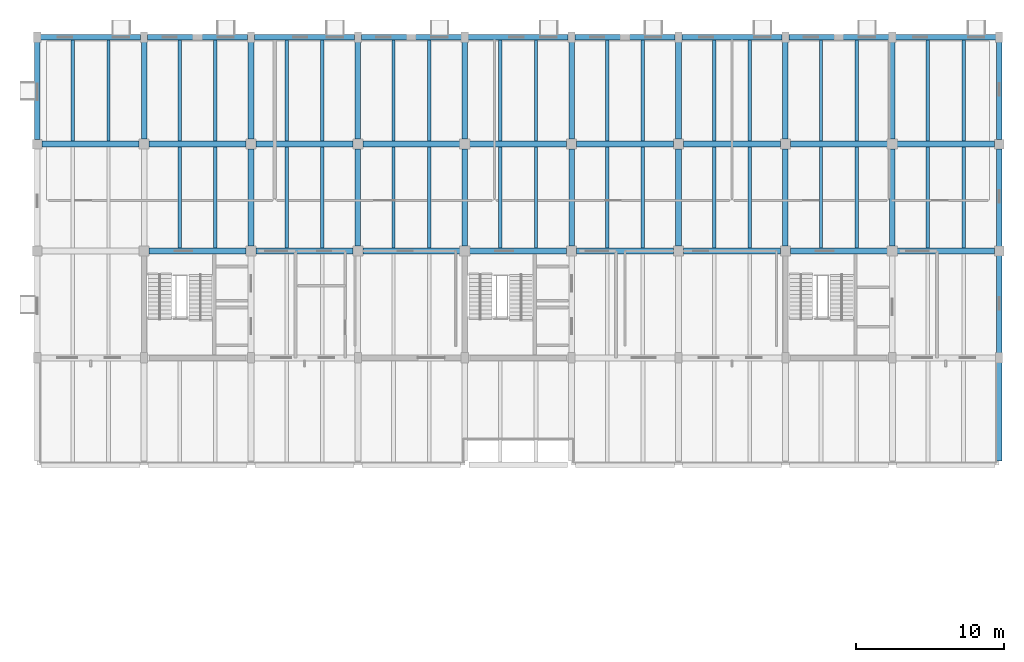
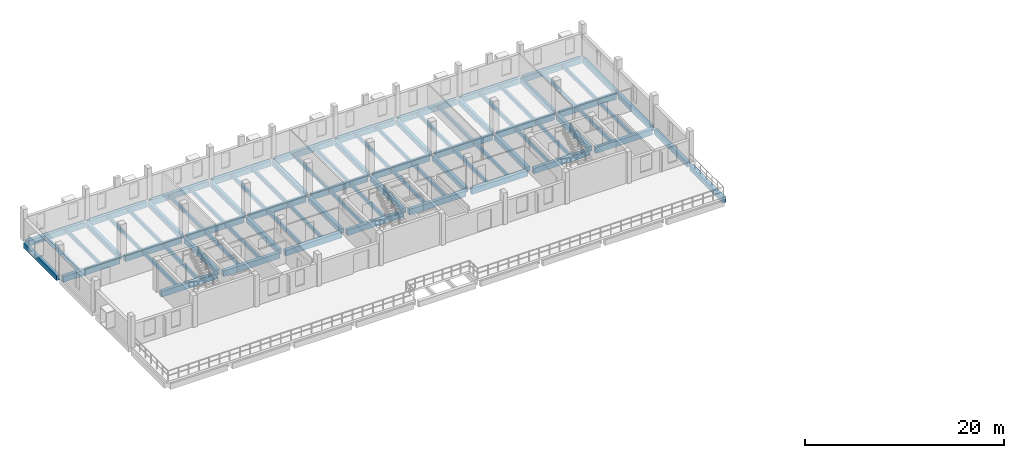
# One storey, part 3 of 14: 80 beams.
"""IFC4 building model written with IfcOpenShell, lengths in metres."""

from ifc_helpers import new_model, si_unit, direction, frame, origin, origin_2d, place, context, subcontext, project, spatial, rectangle, extrude, material, material_profile, profile_set, type_object, element, save


model = new_model("IFC4")

# Units and contexts
model_context = context("Model", 3, precision=1e-05, world=origin(), true_north=direction((0.0, 1.0)))
body_context = subcontext(model_context, "Body", "Model", "MODEL_VIEW")
ifc_project = project(units=[si_unit("LENGTHUNIT", "METRE"), si_unit("AREAUNIT", "SQUARE_METRE"), si_unit("VOLUMEUNIT", "CUBIC_METRE"), si_unit("PLANEANGLEUNIT", "RADIAN"), si_unit("MASSUNIT", "GRAM", prefix="KILO")], contexts=[model_context])

# Site, building, storey
site_placement = place(None, origin())
site = spatial("IfcSite", under=ifc_project, at=site_placement, CompositionType="ELEMENT")
building_placement = place(site_placement, origin())
building = spatial("IfcBuilding", under=site, at=building_placement, Name="Qiaolan Assembly House", CompositionType="ELEMENT")
storey_placement = place(building_placement, frame((0.0, 0.0, 22.5)))
storey = spatial("IfcBuildingStorey", under=building, at=storey_placement, Name="L05", CompositionType="ELEMENT", Elevation=22.5)

# Beams
ifc_material = material(Name="Concrete C40/50", Category="concrete")
ifc_material_profile_1 = material_profile(ifc_material, rectangle(XDim=0.3798828125, YDim=0.6201171875, at=origin_2d()), Name="RCB 380x620")
ifc_profile_set_1 = profile_set([ifc_material_profile_1], Name="Concrete C40/50")
beam_type_1 = type_object("IfcBeamType", Name="BM-RC-380x620", PredefinedType="BEAM", material=ifc_profile_set_1)
beam_1_placement = place(storey_placement, frame((36.0, 108.31494140625, -0.5400390625), z_axis=(0.0, 1.0, 0.0), x_axis=(-1.0, 0.0, 0.0)))
element("IfcBeam", 1, at=beam_1_placement, inside=storey, type_object=beam_type_1, Name="GB-13 beam BMY-NW-L05-00-02", PredefinedType="BEAM", context=body_context, shape_type="SweptSolid", body=[
    extrude(rectangle(XDim=0.3798828125, YDim=0.6201171875, at=origin_2d()), origin(), (0.0, 0.0, 1.0), 6.655029296875),
])
beam_2_placement = place(storey_placement, frame((43.199951171875, 108.330078125, -0.5400390625), z_axis=(0.0, 1.0, 0.0), x_axis=(-1.0, 0.0, 0.0)))
element("IfcBeam", 2, at=beam_2_placement, inside=storey, type_object=beam_type_1, Name="GB-13 beam BMY-NW-L05-01-02", PredefinedType="BEAM", context=body_context, shape_type="SweptSolid", body=[
    extrude(rectangle(XDim=0.3798828125, YDim=0.6201171875, at=origin_2d()), origin(), (0.0, 0.0, 1.0), 6.639892578125),
])
beam_3_placement = place(storey_placement, frame((50.39990234375, 101.1298828125, -0.5400390625), z_axis=(0.0, 1.0, 0.0), x_axis=(-1.0, 0.0, 0.0)))
element("IfcBeam", 3, at=beam_3_placement, inside=storey, type_object=beam_type_1, Name="GB-13 beam BMY-NW-L05-02-01", PredefinedType="BEAM", context=body_context, shape_type="SweptSolid", body=[
    extrude(rectangle(XDim=0.3798828125, YDim=0.6201171875, at=origin_2d()), origin(), (0.0, 0.0, 1.0), 6.5400390625),
])
beam_4_placement = place(storey_placement, frame((50.39990234375, 108.330078125, -0.5400390625), z_axis=(0.0, 1.0, 0.0), x_axis=(-1.0, 0.0, 0.0)))
element("IfcBeam", 4, at=beam_4_placement, inside=storey, type_object=beam_type_1, Name="GB-13 beam BMY-NW-L05-02-02", PredefinedType="BEAM", context=body_context, shape_type="SweptSolid", body=[
    extrude(rectangle(XDim=0.3798828125, YDim=0.6201171875, at=origin_2d()), origin(), (0.0, 0.0, 1.0), 6.639892578125),
])
beam_5_placement = place(storey_placement, frame((57.60009765625, 101.1298828125, -0.5400390625), z_axis=(0.0, 1.0, 0.0), x_axis=(-1.0, 0.0, 0.0)))
element("IfcBeam", 5, at=beam_5_placement, inside=storey, type_object=beam_type_1, Name="GB-13 beam BMY-NW-L05-03-01", PredefinedType="BEAM", context=body_context, shape_type="SweptSolid", body=[
    extrude(rectangle(XDim=0.3798828125, YDim=0.6201171875, at=origin_2d()), origin(), (0.0, 0.0, 1.0), 6.5400390625),
])
beam_6_placement = place(storey_placement, frame((57.60009765625, 108.330078125, -0.5400390625), z_axis=(0.0, 1.0, 0.0), x_axis=(-1.0, 0.0, 0.0)))
element("IfcBeam", 6, at=beam_6_placement, inside=storey, type_object=beam_type_1, Name="GB-13 beam BMY-NW-L05-03-02", PredefinedType="BEAM", context=body_context, shape_type="SweptSolid", body=[
    extrude(rectangle(XDim=0.3798828125, YDim=0.6201171875, at=origin_2d()), origin(), (0.0, 0.0, 1.0), 6.639892578125),
])
beam_7_placement = place(storey_placement, frame((64.800048828125, 101.1298828125, -0.5400390625), z_axis=(0.0, 1.0, 0.0), x_axis=(-1.0, 0.0, 0.0)))
element("IfcBeam", 7, at=beam_7_placement, inside=storey, type_object=beam_type_1, Name="GB-13 beam BMY-NW-L05-04-01", PredefinedType="BEAM", context=body_context, shape_type="SweptSolid", body=[
    extrude(rectangle(XDim=0.3798828125, YDim=0.6201171875, at=origin_2d()), origin(), (0.0, 0.0, 1.0), 6.5400390625),
])
beam_8_placement = place(storey_placement, frame((64.800048828125, 108.330078125, -0.5400390625), z_axis=(0.0, 1.0, 0.0), x_axis=(-1.0, 0.0, 0.0)))
element("IfcBeam", 8, at=beam_8_placement, inside=storey, type_object=beam_type_1, Name="GB-13 beam BMY-NW-L05-04-02", PredefinedType="BEAM", context=body_context, shape_type="SweptSolid", body=[
    extrude(rectangle(XDim=0.3798828125, YDim=0.6201171875, at=origin_2d()), origin(), (0.0, 0.0, 1.0), 6.639892578125),
])
beam_9_placement = place(storey_placement, frame((72.0, 101.1298828125, -0.5400390625), z_axis=(0.0, 1.0, 0.0), x_axis=(-1.0, 0.0, 0.0)))
element("IfcBeam", 9, at=beam_9_placement, inside=storey, type_object=beam_type_1, Name="GB-13 beam BMY-NW-L05-05-01", PredefinedType="BEAM", context=body_context, shape_type="SweptSolid", body=[
    extrude(rectangle(XDim=0.3798828125, YDim=0.6201171875, at=origin_2d()), origin(), (0.0, 0.0, 1.0), 6.5400390625),
])
beam_10_placement = place(storey_placement, frame((72.0, 108.330078125, -0.5400390625), z_axis=(0.0, 1.0, 0.0), x_axis=(-1.0, 0.0, 0.0)))
element("IfcBeam", 10, at=beam_10_placement, inside=storey, type_object=beam_type_1, Name="GB-13 beam BMY-NW-L05-05-02", PredefinedType="BEAM", context=body_context, shape_type="SweptSolid", body=[
    extrude(rectangle(XDim=0.3798828125, YDim=0.6201171875, at=origin_2d()), origin(), (0.0, 0.0, 1.0), 6.639892578125),
])
beam_11_placement = place(storey_placement, frame((79.199951171875, 101.1298828125, -0.5400390625), z_axis=(0.0, 1.0, 0.0), x_axis=(-1.0, 0.0, 0.0)))
element("IfcBeam", 11, at=beam_11_placement, inside=storey, type_object=beam_type_1, Name="GB-13 beam BMY-NW-L05-06-01", PredefinedType="BEAM", context=body_context, shape_type="SweptSolid", body=[
    extrude(rectangle(XDim=0.3798828125, YDim=0.6201171875, at=origin_2d()), origin(), (0.0, 0.0, 1.0), 6.5400390625),
])
beam_12_placement = place(storey_placement, frame((79.199951171875, 108.330078125, -0.5400390625), z_axis=(0.0, 1.0, 0.0), x_axis=(-1.0, 0.0, 0.0)))
element("IfcBeam", 12, at=beam_12_placement, inside=storey, type_object=beam_type_1, Name="GB-13 beam BMY-NW-L05-06-02", PredefinedType="BEAM", context=body_context, shape_type="SweptSolid", body=[
    extrude(rectangle(XDim=0.3798828125, YDim=0.6201171875, at=origin_2d()), origin(), (0.0, 0.0, 1.0), 6.639892578125),
])
beam_13_placement = place(storey_placement, frame((86.39990234375, 101.1298828125, -0.5400390625), z_axis=(0.0, 1.0, 0.0), x_axis=(-1.0, 0.0, 0.0)))
element("IfcBeam", 13, at=beam_13_placement, inside=storey, type_object=beam_type_1, Name="GB-13 beam BMY-NW-L05-07-01", PredefinedType="BEAM", context=body_context, shape_type="SweptSolid", body=[
    extrude(rectangle(XDim=0.3798828125, YDim=0.6201171875, at=origin_2d()), origin(), (0.0, 0.0, 1.0), 6.5400390625),
])
beam_14_placement = place(storey_placement, frame((86.39990234375, 108.330078125, -0.5400390625), z_axis=(0.0, 1.0, 0.0), x_axis=(-1.0, 0.0, 0.0)))
element("IfcBeam", 14, at=beam_14_placement, inside=storey, type_object=beam_type_1, Name="GB-13 beam BMY-NW-L05-07-02", PredefinedType="BEAM", context=body_context, shape_type="SweptSolid", body=[
    extrude(rectangle(XDim=0.3798828125, YDim=0.6201171875, at=origin_2d()), origin(), (0.0, 0.0, 1.0), 6.639892578125),
])
beam_15_placement = place(storey_placement, frame((93.60009765625, 101.1298828125, -0.5400390625), z_axis=(0.0, 1.0, 0.0), x_axis=(-1.0, 0.0, 0.0)))
element("IfcBeam", 15, at=beam_15_placement, inside=storey, type_object=beam_type_1, Name="GB-13 beam BMY-NW-L05-08-01", PredefinedType="BEAM", context=body_context, shape_type="SweptSolid", body=[
    extrude(rectangle(XDim=0.3798828125, YDim=0.6201171875, at=origin_2d()), origin(), (0.0, 0.0, 1.0), 6.5400390625),
])
beam_16_placement = place(storey_placement, frame((93.60009765625, 108.330078125, -0.5400390625), z_axis=(0.0, 1.0, 0.0), x_axis=(-1.0, 0.0, 0.0)))
element("IfcBeam", 16, at=beam_16_placement, inside=storey, type_object=beam_type_1, Name="GB-13 beam BMY-NW-L05-08-02", PredefinedType="BEAM", context=body_context, shape_type="SweptSolid", body=[
    extrude(rectangle(XDim=0.3798828125, YDim=0.6201171875, at=origin_2d()), origin(), (0.0, 0.0, 1.0), 6.639892578125),
])
beam_17_placement = place(storey_placement, frame((100.800048828125, 93.830078125, -0.5400390625), z_axis=(0.0, 1.0, 0.0), x_axis=(-1.0, 0.0, 0.0)))
element("IfcBeam", 17, at=beam_17_placement, inside=storey, type_object=beam_type_1, Name="GB-13 beam BMY-NW-L05-09-00", PredefinedType="BEAM", context=body_context, shape_type="SweptSolid", body=[
    extrude(rectangle(XDim=0.3798828125, YDim=0.6201171875, at=origin_2d()), origin(), (0.0, 0.0, 1.0), 6.655029296875),
])
beam_18_placement = place(storey_placement, frame((100.800048828125, 101.114990234375, -0.5400390625), z_axis=(0.0, 1.0, 0.0), x_axis=(-1.0, 0.0, 0.0)))
element("IfcBeam", 18, at=beam_18_placement, inside=storey, type_object=beam_type_1, Name="GB-13 beam BMY-NW-L05-09-01", PredefinedType="BEAM", context=body_context, shape_type="SweptSolid", body=[
    extrude(rectangle(XDim=0.3798828125, YDim=0.6201171875, at=origin_2d()), origin(), (0.0, 0.0, 1.0), 6.570068359375),
])
beam_19_placement = place(storey_placement, frame((100.800048828125, 108.31494140625, -0.5400390625), z_axis=(0.0, 1.0, 0.0), x_axis=(-1.0, 0.0, 0.0)))
element("IfcBeam", 19, at=beam_19_placement, inside=storey, type_object=beam_type_1, Name="GB-13 beam BMY-NW-L05-09-02", PredefinedType="BEAM", context=body_context, shape_type="SweptSolid", body=[
    extrude(rectangle(XDim=0.3798828125, YDim=0.6201171875, at=origin_2d()), origin(), (0.0, 0.0, 1.0), 6.655029296875),
])
ifc_material_profile_2 = material_profile(ifc_material, rectangle(XDim=0.39990234375, YDim=0.64990234375, at=origin_2d()), Name="RCB 400x650")
ifc_profile_set_2 = profile_set([ifc_material_profile_2], Name="Concrete C40/50")
beam_type_2 = type_object("IfcBeamType", Name="BM-RC-400x650", PredefinedType="BEAM", material=ifc_profile_set_2)
beam_20_placement = place(storey_placement, frame((100.800048828125, 86.669921875, -0.5849609375), z_axis=(0.0, 1.0, 0.0), x_axis=(-1.0, 0.0, 0.0)))
element("IfcBeam", 20, at=beam_20_placement, inside=storey, type_object=beam_type_2, Name="GB-06 beam BMY-NWTER-L05-09-00", PredefinedType="BEAM", context=body_context, shape_type="SweptSolid", body=[
    extrude(rectangle(XDim=0.39990234375, YDim=0.64990234375, at=origin_2d()), origin(), (0.0, 0.0, 1.0), 6.7001953125),
])
ifc_material_profile_3 = material_profile(ifc_material, rectangle(XDim=0.39990234375, YDim=0.699951171875, at=origin_2d()), Name="RCB 400x700")
ifc_profile_set_3 = profile_set([ifc_material_profile_3], Name="Concrete C40/50")
beam_type_3 = type_object("IfcBeamType", Name="BM-RC-400x700", PredefinedType="BEAM", material=ifc_profile_set_3)
for number, where, z_axis, x_axis, name in (
    (21, (43.530029296875, 100.800048828125, -0.580078125), (1.0, 0.0, 0.0), (0.0, 1.0, 0.0), "GB-05 beam BMX-NW-L05-01-01"),
    (22, (50.72998046875, 100.800048828125, -0.580078125), (1.0, 0.0, 0.0), (0.0, 1.0, 0.0), "GB-05 beam BMX-NW-L05-02-01"),
    (23, (57.929931640625, 100.800048828125, -0.580078125), (1.0, 0.0, 0.0), (0.0, 1.0, 0.0), "GB-05 beam BMX-NW-L05-03-01"),
    (24, (65.1298828125, 100.800048828125, -0.580078125), (1.0, 0.0, 0.0), (0.0, 1.0, 0.0), "GB-05 beam BMX-NW-L05-04-01"),
    (25, (72.330078125, 100.800048828125, -0.580078125), (1.0, 0.0, 0.0), (0.0, 1.0, 0.0), "GB-05 beam BMX-NW-L05-05-01"),
    (26, (79.530029296875, 100.800048828125, -0.580078125), (1.0, 0.0, 0.0), (0.0, 1.0, 0.0), "GB-05 beam BMX-NW-L05-06-01"),
    (27, (86.72998046875, 100.800048828125, -0.580078125), (1.0, 0.0, 0.0), (0.0, 1.0, 0.0), "GB-05 beam BMX-NW-L05-07-01"),
):
    element("IfcBeam", number, at=place(storey_placement, frame(where, z_axis=z_axis, x_axis=x_axis)), inside=storey, type_object=beam_type_3, Name=name, PredefinedType="BEAM", context=body_context, shape_type="SweptSolid", body=[
        extrude(rectangle(XDim=0.39990234375, YDim=0.699951171875, at=origin_2d()), origin(), (0.0, 0.0, 1.0), 6.5400390625),
    ])
for number, where, z_axis, x_axis, name in (
    (28, (93.929931640625, 100.800048828125, -0.580078125), (1.0, 0.0, 0.0), (0.0, 1.0, 0.0), "GB-05 beam BMX-NW-L05-08-01"),
    (29, (36.31494140625, 108.0, -0.580078125), (1.0, 0.0, 0.0), (0.0, 1.0, 0.0), "GB-05 beam BMX-NW-L05-00-02"),
):
    element("IfcBeam", number, at=place(storey_placement, frame(where, z_axis=z_axis, x_axis=x_axis)), inside=storey, type_object=beam_type_3, Name=name, PredefinedType="BEAM", context=body_context, shape_type="SweptSolid", body=[
        extrude(rectangle(XDim=0.39990234375, YDim=0.699951171875, at=origin_2d()), origin(), (0.0, 0.0, 1.0), 6.55517578125),
    ])
for number, where, z_axis, x_axis, name in (
    (30, (43.530029296875, 108.0, -0.580078125), (1.0, 0.0, 0.0), (0.0, 1.0, 0.0), "GB-05 beam BMX-NW-L05-01-02"),
    (31, (50.72998046875, 108.0, -0.580078125), (1.0, 0.0, 0.0), (0.0, 1.0, 0.0), "GB-05 beam BMX-NW-L05-02-02"),
    (32, (57.929931640625, 108.0, -0.580078125), (1.0, 0.0, 0.0), (0.0, 1.0, 0.0), "GB-05 beam BMX-NW-L05-03-02"),
    (33, (65.1298828125, 108.0, -0.580078125), (1.0, 0.0, 0.0), (0.0, 1.0, 0.0), "GB-05 beam BMX-NW-L05-04-02"),
    (34, (72.330078125, 108.0, -0.580078125), (1.0, 0.0, 0.0), (0.0, 1.0, 0.0), "GB-05 beam BMX-NW-L05-05-02"),
    (35, (79.530029296875, 108.0, -0.580078125), (1.0, 0.0, 0.0), (0.0, 1.0, 0.0), "GB-05 beam BMX-NW-L05-06-02"),
    (36, (86.72998046875, 108.0, -0.580078125), (1.0, 0.0, 0.0), (0.0, 1.0, 0.0), "GB-05 beam BMX-NW-L05-07-02"),
):
    element("IfcBeam", number, at=place(storey_placement, frame(where, z_axis=z_axis, x_axis=x_axis)), inside=storey, type_object=beam_type_3, Name=name, PredefinedType="BEAM", context=body_context, shape_type="SweptSolid", body=[
        extrude(rectangle(XDim=0.39990234375, YDim=0.699951171875, at=origin_2d()), origin(), (0.0, 0.0, 1.0), 6.5400390625),
    ])
beam_21_placement = place(storey_placement, frame((93.929931640625, 108.0, -0.580078125), z_axis=(1.0, 0.0, 0.0), x_axis=(0.0, 1.0, 0.0)))
element("IfcBeam", 37, at=beam_21_placement, inside=storey, type_object=beam_type_3, Name="GB-05 beam BMX-NW-L05-08-02", PredefinedType="BEAM", context=body_context, shape_type="SweptSolid", body=[
    extrude(rectangle(XDim=0.39990234375, YDim=0.699951171875, at=origin_2d()), origin(), (0.0, 0.0, 1.0), 6.55517578125),
])
for number, where, z_axis, x_axis, name in (
    (38, (36.22998046875, 115.199951171875, -0.580078125), (1.0, 0.0, 0.0), (0.0, 1.0, 0.0), "GB-05 beam BMX-NW-L05-00-03"),
    (39, (43.429931640625, 115.199951171875, -0.580078125), (1.0, 0.0, 0.0), (0.0, 1.0, 0.0), "GB-05 beam BMX-NW-L05-01-03"),
):
    element("IfcBeam", number, at=place(storey_placement, frame(where, z_axis=z_axis, x_axis=x_axis)), inside=storey, type_object=beam_type_3, Name=name, PredefinedType="BEAM", context=body_context, shape_type="SweptSolid", body=[
        extrude(rectangle(XDim=0.39990234375, YDim=0.699951171875, at=origin_2d()), origin(), (0.0, 0.0, 1.0), 6.739990234375),
    ])
beam_22_placement = place(storey_placement, frame((50.6298828125, 115.199951171875, -0.580078125), z_axis=(1.0, 0.0, 0.0), x_axis=(0.0, 1.0, 0.0)))
element("IfcBeam", 40, at=beam_22_placement, inside=storey, type_object=beam_type_3, Name="GB-05 beam BMX-NW-L05-02-03", PredefinedType="BEAM", context=body_context, shape_type="SweptSolid", body=[
    extrude(rectangle(XDim=0.39990234375, YDim=0.699951171875, at=origin_2d()), origin(), (0.0, 0.0, 1.0), 6.740234375),
])
for number, where, z_axis, x_axis, name in (
    (41, (57.830078125, 115.199951171875, -0.580078125), (1.0, 0.0, 0.0), (0.0, 1.0, 0.0), "GB-05 beam BMX-NW-L05-03-03"),
    (42, (65.030029296875, 115.199951171875, -0.580078125), (1.0, 0.0, 0.0), (0.0, 1.0, 0.0), "GB-05 beam BMX-NW-L05-04-03"),
    (43, (72.22998046875, 115.199951171875, -0.580078125), (1.0, 0.0, 0.0), (0.0, 1.0, 0.0), "GB-05 beam BMX-NW-L05-05-03"),
    (44, (79.429931640625, 115.199951171875, -0.580078125), (1.0, 0.0, 0.0), (0.0, 1.0, 0.0), "GB-05 beam BMX-NW-L05-06-03"),
):
    element("IfcBeam", number, at=place(storey_placement, frame(where, z_axis=z_axis, x_axis=x_axis)), inside=storey, type_object=beam_type_3, Name=name, PredefinedType="BEAM", context=body_context, shape_type="SweptSolid", body=[
        extrude(rectangle(XDim=0.39990234375, YDim=0.699951171875, at=origin_2d()), origin(), (0.0, 0.0, 1.0), 6.739990234375),
    ])
beam_23_placement = place(storey_placement, frame((86.6298828125, 115.199951171875, -0.580078125), z_axis=(1.0, 0.0, 0.0), x_axis=(0.0, 1.0, 0.0)))
element("IfcBeam", 45, at=beam_23_placement, inside=storey, type_object=beam_type_3, Name="GB-05 beam BMX-NW-L05-07-03", PredefinedType="BEAM", context=body_context, shape_type="SweptSolid", body=[
    extrude(rectangle(XDim=0.39990234375, YDim=0.699951171875, at=origin_2d()), origin(), (0.0, 0.0, 1.0), 6.740234375),
])
beam_24_placement = place(storey_placement, frame((93.830078125, 115.199951171875, -0.580078125), z_axis=(1.0, 0.0, 0.0), x_axis=(0.0, 1.0, 0.0)))
element("IfcBeam", 46, at=beam_24_placement, inside=storey, type_object=beam_type_3, Name="GB-05 beam BMX-NW-L05-08-03", PredefinedType="BEAM", context=body_context, shape_type="SweptSolid", body=[
    extrude(rectangle(XDim=0.39990234375, YDim=0.699951171875, at=origin_2d()), origin(), (0.0, 0.0, 1.0), 6.739990234375),
])
ifc_material_profile_4 = material_profile(ifc_material, rectangle(XDim=0.22998046875, YDim=0.43994140625, at=origin_2d()), Name="RCB 230x440")
ifc_profile_set_4 = profile_set([ifc_material_profile_4], Name="Concrete C40/50")
beam_type_4 = type_object("IfcBeamType", Name="JST-RC-230x440", PredefinedType="JOIST", material=ifc_profile_set_4)
for number, where, z_axis, x_axis, name in (
    (47, (38.39990234375, 108.194091796875, -0.449951171875), (0.0, 1.0, 0.0), (-1.0, 0.0, 0.0), "RJ-08 beam JST-NW-L05-00-02-1"),
    (48, (40.800048828125, 108.194091796875, -0.449951171875), (0.0, 1.0, 0.0), (-1.0, 0.0, 0.0), "RJ-08 beam JST-NW-L05-00-02-2"),
    (49, (45.60009765625, 100.993896484375, -0.449951171875), (0.0, 1.0, 0.0), (-1.0, 0.0, 0.0), "RJ-08 beam JST-NW-L05-01-01-1"),
    (50, (48.0, 100.993896484375, -0.449951171875), (0.0, 1.0, 0.0), (-1.0, 0.0, 0.0), "RJ-08 beam JST-NW-L05-01-01-2"),
    (51, (45.60009765625, 108.194091796875, -0.449951171875), (0.0, 1.0, 0.0), (-1.0, 0.0, 0.0), "RJ-08 beam JST-NW-L05-01-02-1"),
    (52, (48.0, 108.194091796875, -0.449951171875), (0.0, 1.0, 0.0), (-1.0, 0.0, 0.0), "RJ-08 beam JST-NW-L05-01-02-2"),
    (53, (52.800048828125, 100.993896484375, -0.449951171875), (0.0, 1.0, 0.0), (-1.0, 0.0, 0.0), "RJ-08 beam JST-NW-L05-02-01-1"),
    (54, (55.199951171875, 100.993896484375, -0.449951171875), (0.0, 1.0, 0.0), (-1.0, 0.0, 0.0), "RJ-08 beam JST-NW-L05-02-01-2"),
    (55, (52.800048828125, 108.194091796875, -0.449951171875), (0.0, 1.0, 0.0), (-1.0, 0.0, 0.0), "RJ-08 beam JST-NW-L05-02-02-1"),
    (56, (55.199951171875, 108.194091796875, -0.449951171875), (0.0, 1.0, 0.0), (-1.0, 0.0, 0.0), "RJ-08 beam JST-NW-L05-02-02-2"),
    (57, (60.0, 100.993896484375, -0.449951171875), (0.0, 1.0, 0.0), (-1.0, 0.0, 0.0), "RJ-08 beam JST-NW-L05-03-01-1"),
    (58, (62.39990234375, 100.993896484375, -0.449951171875), (0.0, 1.0, 0.0), (-1.0, 0.0, 0.0), "RJ-08 beam JST-NW-L05-03-01-2"),
    (59, (60.0, 108.194091796875, -0.449951171875), (0.0, 1.0, 0.0), (-1.0, 0.0, 0.0), "RJ-08 beam JST-NW-L05-03-02-1"),
    (60, (62.39990234375, 108.194091796875, -0.449951171875), (0.0, 1.0, 0.0), (-1.0, 0.0, 0.0), "RJ-08 beam JST-NW-L05-03-02-2"),
    (61, (67.199951171875, 100.993896484375, -0.449951171875), (0.0, 1.0, 0.0), (-1.0, 0.0, 0.0), "RJ-08 beam JST-NW-L05-04-01-1"),
    (62, (69.60009765625, 100.993896484375, -0.449951171875), (0.0, 1.0, 0.0), (-1.0, 0.0, 0.0), "RJ-08 beam JST-NW-L05-04-01-2"),
    (63, (67.199951171875, 108.194091796875, -0.449951171875), (0.0, 1.0, 0.0), (-1.0, 0.0, 0.0), "RJ-08 beam JST-NW-L05-04-02-1"),
    (64, (69.60009765625, 108.194091796875, -0.449951171875), (0.0, 1.0, 0.0), (-1.0, 0.0, 0.0), "RJ-08 beam JST-NW-L05-04-02-2"),
    (65, (74.39990234375, 100.993896484375, -0.449951171875), (0.0, 1.0, 0.0), (-1.0, 0.0, 0.0), "RJ-08 beam JST-NW-L05-05-01-1"),
    (66, (76.800048828125, 100.993896484375, -0.449951171875), (0.0, 1.0, 0.0), (-1.0, 0.0, 0.0), "RJ-08 beam JST-NW-L05-05-01-2"),
    (67, (74.39990234375, 108.194091796875, -0.449951171875), (0.0, 1.0, 0.0), (-1.0, 0.0, 0.0), "RJ-08 beam JST-NW-L05-05-02-1"),
    (68, (76.800048828125, 108.194091796875, -0.449951171875), (0.0, 1.0, 0.0), (-1.0, 0.0, 0.0), "RJ-08 beam JST-NW-L05-05-02-2"),
    (69, (81.60009765625, 100.993896484375, -0.449951171875), (0.0, 1.0, 0.0), (-1.0, 0.0, 0.0), "RJ-08 beam JST-NW-L05-06-01-1"),
    (70, (84.0, 100.993896484375, -0.449951171875), (0.0, 1.0, 0.0), (-1.0, 0.0, 0.0), "RJ-08 beam JST-NW-L05-06-01-2"),
    (71, (81.60009765625, 108.194091796875, -0.449951171875), (0.0, 1.0, 0.0), (-1.0, 0.0, 0.0), "RJ-08 beam JST-NW-L05-06-02-1"),
    (72, (84.0, 108.194091796875, -0.449951171875), (0.0, 1.0, 0.0), (-1.0, 0.0, 0.0), "RJ-08 beam JST-NW-L05-06-02-2"),
    (73, (88.800048828125, 100.993896484375, -0.449951171875), (0.0, 1.0, 0.0), (-1.0, 0.0, 0.0), "RJ-08 beam JST-NW-L05-07-01-1"),
    (74, (91.199951171875, 100.993896484375, -0.449951171875), (0.0, 1.0, 0.0), (-1.0, 0.0, 0.0), "RJ-08 beam JST-NW-L05-07-01-2"),
    (75, (88.800048828125, 108.194091796875, -0.449951171875), (0.0, 1.0, 0.0), (-1.0, 0.0, 0.0), "RJ-08 beam JST-NW-L05-07-02-1"),
    (76, (91.199951171875, 108.194091796875, -0.449951171875), (0.0, 1.0, 0.0), (-1.0, 0.0, 0.0), "RJ-08 beam JST-NW-L05-07-02-2"),
    (77, (96.0, 100.993896484375, -0.449951171875), (0.0, 1.0, 0.0), (-1.0, 0.0, 0.0), "RJ-08 beam JST-NW-L05-08-01-1"),
    (78, (98.39990234375, 100.993896484375, -0.449951171875), (0.0, 1.0, 0.0), (-1.0, 0.0, 0.0), "RJ-08 beam JST-NW-L05-08-01-2"),
    (79, (96.0, 108.194091796875, -0.449951171875), (0.0, 1.0, 0.0), (-1.0, 0.0, 0.0), "RJ-08 beam JST-NW-L05-08-02-1"),
    (80, (98.39990234375, 108.194091796875, -0.449951171875), (0.0, 1.0, 0.0), (-1.0, 0.0, 0.0), "RJ-08 beam JST-NW-L05-08-02-2"),
):
    element("IfcBeam", number, at=place(storey_placement, frame(where, z_axis=z_axis, x_axis=x_axis)), inside=storey, type_object=beam_type_4, Name=name, PredefinedType="JOIST", context=body_context, shape_type="SweptSolid", body=[
        extrude(rectangle(XDim=0.22998046875, YDim=0.43994140625, at=origin_2d()), origin(), (0.0, 0.0, 1.0), 6.81201171875),
    ])

save(model, "model.ifc")
